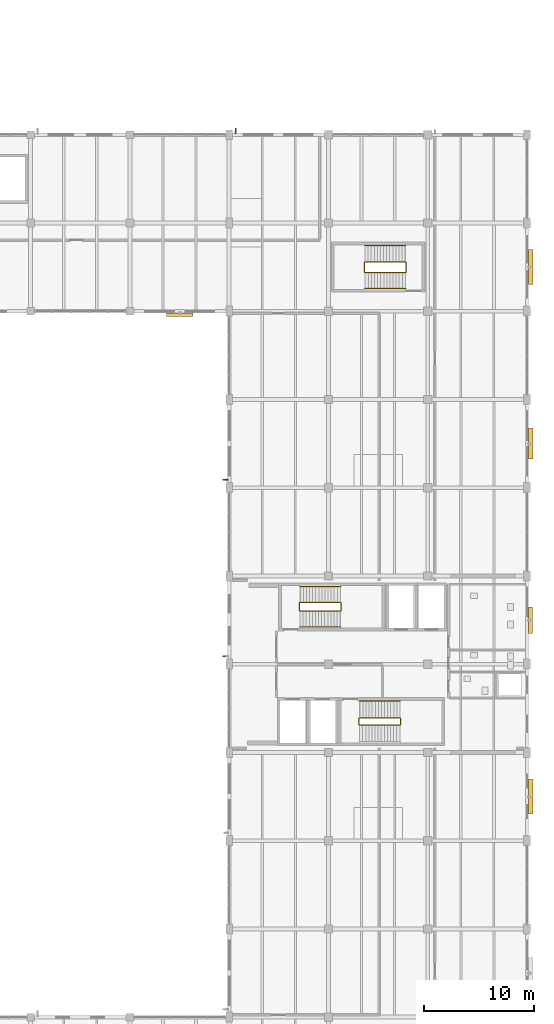
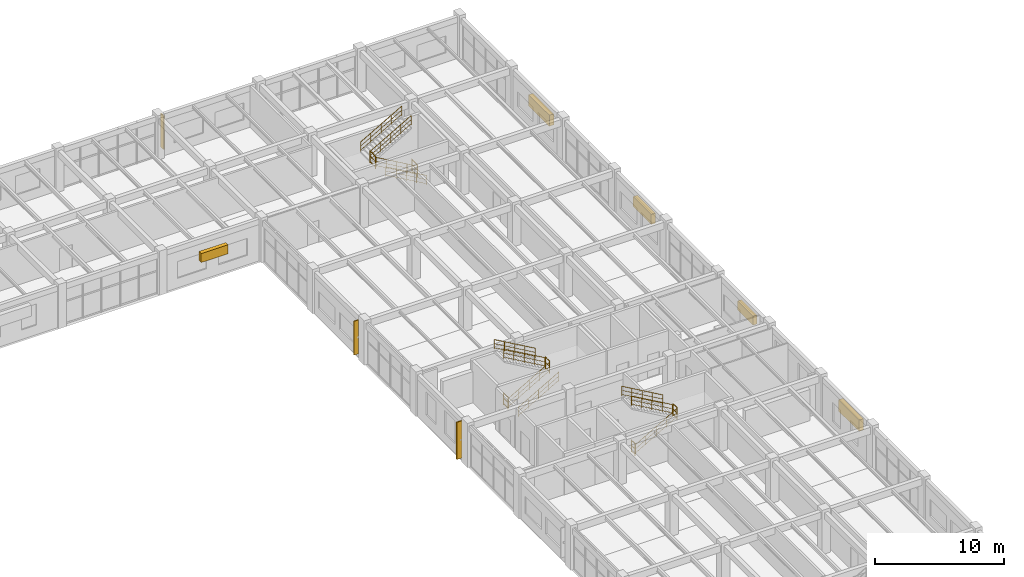
# One storey, part 126 of 128: 17 railings, 8 shading devices.
"""IFC4 building model written with IfcOpenShell, lengths in metres."""

from ifc_helpers import new_model, si_unit, derived_unit, direction, frame, origin, origin_2d, place, context, subcontext, project, spatial, rectangle, circle, extrude, material, type_object, element, save


model = new_model("IFC4")

# Units and contexts
model_context = context("Model", 3, precision=1e-05, world=origin(), true_north=direction((0.0, 1.0)))
body_context = subcontext(model_context, "Body", "Model", "MODEL_VIEW")
ifc_project = project(units=[si_unit("LENGTHUNIT", "METRE"), si_unit("AREAUNIT", "SQUARE_METRE"), si_unit("VOLUMEUNIT", "CUBIC_METRE"), si_unit("PLANEANGLEUNIT", "RADIAN"), si_unit("MASSUNIT", "GRAM", prefix="KILO"), derived_unit("THERMALTRANSMITTANCEUNIT", [(si_unit("MASSUNIT", "GRAM", prefix="KILO"), 1), (si_unit("TIMEUNIT", "SECOND"), -3), (si_unit("THERMODYNAMICTEMPERATUREUNIT", "KELVIN"), -1)])], contexts=[model_context])

# Site, building, storey
site_placement = place(None, origin())
site = spatial("IfcSite", under=ifc_project, at=site_placement, CompositionType="ELEMENT")
building_placement = place(site_placement, origin())
building = spatial("IfcBuilding", under=site, at=building_placement, Name="Zhenchuan Archway Interchange", CompositionType="ELEMENT")
storey_placement = place(building_placement, frame((0.0, 0.0, 14.39990234375)))
storey = spatial("IfcBuildingStorey", under=building, at=storey_placement, Name="L03", CompositionType="ELEMENT", Elevation=14.39990234375)

# Railings
ifc_material_1 = material(Name="Painted Galvanised Steel", Category="steel")
railing_type_1 = type_object("IfcRailingType", Name="RL_GUARD_1150", PredefinedType="GUARDRAIL", material=ifc_material_1)
for number, where, name in (
    (1, (154.125, 60.864990234375, 2.10009765625), "Stair ST-O1 half-landing slot guard (L03)"),
    (2, (150.385009765625, 60.864990234375, 0.0), "Stair ST-O1 floor well guard (L03)"),
):
    element("IfcRailing", number, at=place(storey_placement, frame(where)), inside=storey, type_object=railing_type_1, Name=name, PredefinedType="GUARDRAIL", context=body_context, shape_type="SweptSolid", body=[
        extrude(circle(Radius=0.02392578125, at=origin_2d()), frame((0.0, 0.0, 1.1259765625), z_axis=(0.0, 1.0, 0.0), x_axis=(-1.0, 0.0, 0.0)), (0.0, 0.0, 1.0), 0.669921875),
        extrude(circle(Radius=0.01611328125, at=origin_2d()), frame((0.0, 0.0, 0.63232421875), z_axis=(0.0, 1.0, 0.0), x_axis=(-1.0, 0.0, 0.0)), (0.0, 0.0, 1.0), 0.669921875),
        extrude(circle(Radius=0.01611328125, at=origin_2d()), frame((0.0, 0.0, 0.1201171875), z_axis=(0.0, 1.0, 0.0), x_axis=(-1.0, 0.0, 0.0)), (0.0, 0.0, 1.0), 0.669921875),
        extrude(circle(Radius=0.02099609375, at=origin_2d()), origin(), (0.0, 0.0, 1.0), 1.1259765625),
        extrude(circle(Radius=0.02099609375, at=origin_2d()), frame((0.0, 0.669921875, 0.0)), (0.0, 0.0, 1.0), 1.1259765625),
    ])
for number, where, name in (
    (3, (159.52490234375, 50.514892578125, 2.10009765625), "Stair ST-O2 half-landing slot guard (L03)"),
    (4, (155.784912109375, 50.514892578125, 0.0), "Stair ST-O2 floor well guard (L03)"),
):
    element("IfcRailing", number, at=place(storey_placement, frame(where)), inside=storey, type_object=railing_type_1, Name=name, PredefinedType="GUARDRAIL", context=body_context, shape_type="SweptSolid", body=[
        extrude(circle(Radius=0.02392578125, at=origin_2d()), frame((0.0, 0.0, 1.1259765625), z_axis=(0.0, 1.0, 0.0), x_axis=(-1.0, 0.0, 0.0)), (0.0, 0.0, 1.0), 0.570068359375),
        extrude(circle(Radius=0.01611328125, at=origin_2d()), frame((0.0, 0.0, 0.63232421875), z_axis=(0.0, 1.0, 0.0), x_axis=(-1.0, 0.0, 0.0)), (0.0, 0.0, 1.0), 0.570068359375),
        extrude(circle(Radius=0.01611328125, at=origin_2d()), frame((0.0, 0.0, 0.1201171875), z_axis=(0.0, 1.0, 0.0), x_axis=(-1.0, 0.0, 0.0)), (0.0, 0.0, 1.0), 0.570068359375),
        extrude(circle(Radius=0.02099609375, at=origin_2d()), origin(), (0.0, 0.0, 1.0), 1.1259765625),
        extrude(circle(Radius=0.02099609375, at=origin_2d()), frame((0.0, 0.570068359375, 0.0)), (0.0, 0.0, 1.0), 1.1259765625),
    ])
for number, where, name in (
    (5, (156.27490234375, 91.56494140625, 2.10009765625), "Stair ST-O3 half-landing slot guard (L03)"),
    (6, (160.014892578125, 91.56494140625, 0.0), "Stair ST-O3 floor well guard (L03)"),
):
    element("IfcRailing", number, at=place(storey_placement, frame(where)), inside=storey, type_object=railing_type_1, Name=name, PredefinedType="GUARDRAIL", context=body_context, shape_type="SweptSolid", body=[
        extrude(circle(Radius=0.02392578125, at=origin_2d()), frame((0.0, 0.0, 1.1259765625), z_axis=(0.0, 1.0, 0.0), x_axis=(-1.0, 0.0, 0.0)), (0.0, 0.0, 1.0), 0.8701171875),
        extrude(circle(Radius=0.01611328125, at=origin_2d()), frame((0.0, 0.0, 0.63232421875), z_axis=(0.0, 1.0, 0.0), x_axis=(-1.0, 0.0, 0.0)), (0.0, 0.0, 1.0), 0.8701171875),
        extrude(circle(Radius=0.01611328125, at=origin_2d()), frame((0.0, 0.0, 0.1201171875), z_axis=(0.0, 1.0, 0.0), x_axis=(-1.0, 0.0, 0.0)), (0.0, 0.0, 1.0), 0.8701171875),
        extrude(circle(Radius=0.02099609375, at=origin_2d()), origin(), (0.0, 0.0, 1.0), 1.1259765625),
        extrude(circle(Radius=0.02099609375, at=origin_2d()), frame((0.0, 0.8701171875, 0.0)), (0.0, 0.0, 1.0), 1.1259765625),
    ])
ifc_material_2 = material(Name="Stainless Steel 304", Category="steel")
railing_type_2 = type_object("IfcRailingType", Name="RL_HAND_920", PredefinedType="HANDRAIL", material=ifc_material_2)
for number, where, name in (
    (7, (150.425048828125, 59.35498046875, 0.150146484375), "Stair ST-O1 handrail 1 (L03)"),
    (8, (150.425048828125, 60.824951171875, 0.150146484375), "Stair ST-O1 handrail 2 (L03)"),
):
    element("IfcRailing", number, at=place(storey_placement, frame(where)), inside=storey, type_object=railing_type_2, Name=name, PredefinedType="HANDRAIL", context=body_context, shape_type="SweptSolid", body=[
        extrude(circle(Radius=0.02392578125, at=origin_2d()), frame((0.0, 0.0, 0.89599609375), z_axis=(0.867376594967, 0.0, 0.497652330953), x_axis=(0.0, 1.0, 0.0)), (0.0, 0.0, 1.0), 4.219482421875),
        extrude(circle(Radius=0.01611328125, at=origin_2d()), frame((0.0, 0.0, 0.505859375), z_axis=(0.867376594967, 0.0, 0.497652330953), x_axis=(0.0, 1.0, 0.0)), (0.0, 0.0, 1.0), 4.219482421875),
        extrude(circle(Radius=0.01611328125, at=origin_2d()), frame((0.0, 0.0, 0.1201171875), z_axis=(0.867376594967, 0.0, 0.497652330953), x_axis=(0.0, 1.0, 0.0)), (0.0, 0.0, 1.0), 4.219482421875),
        extrude(circle(Radius=0.02099609375, at=origin_2d()), origin(), (0.0, 0.0, 1.0), 0.89599609375),
        extrude(circle(Radius=0.02099609375, at=origin_2d()), frame((0.9150390625, 0.0, 0.52490234375)), (0.0, 0.0, 1.0), 0.89599609375),
        extrude(circle(Radius=0.02099609375, at=origin_2d()), frame((1.830078125, 0.0, 1.0498046875)), (0.0, 0.0, 1.0), 0.89599609375),
        extrude(circle(Radius=0.02099609375, at=origin_2d()), frame((2.744873046875, 0.0, 1.574951171875)), (0.0, 0.0, 1.0), 0.89599609375),
        extrude(circle(Radius=0.02099609375, at=origin_2d()), frame((3.659912109375, 0.0, 2.099853515625)), (0.0, 0.0, 1.0), 0.89599609375),
    ])
for number, where, name in (
    (9, (154.0849609375, 61.574951171875, 2.25), "Stair ST-O1 handrail 3 (L03)"),
    (10, (154.0849609375, 63.044921875, 2.25), "Stair ST-O1 handrail 4 (L03)"),
):
    element("IfcRailing", number, at=place(storey_placement, frame(where)), inside=storey, type_object=railing_type_2, Name=name, PredefinedType="HANDRAIL", context=body_context, shape_type="SweptSolid", body=[
        extrude(circle(Radius=0.02392578125, at=origin_2d()), frame((0.0, 0.0, 0.89599609375), z_axis=(-0.867351619287, 0.0, 0.497695859456), x_axis=(0.0, -1.0, 0.0)), (0.0, 0.0, 1.0), 4.2197265625),
        extrude(circle(Radius=0.01611328125, at=origin_2d()), frame((0.0, 0.0, 0.505859375), z_axis=(-0.867351619287, 0.0, 0.497695859456), x_axis=(0.0, -1.0, 0.0)), (0.0, 0.0, 1.0), 4.2197265625),
        extrude(circle(Radius=0.01611328125, at=origin_2d()), frame((0.0, 0.0, 0.1201171875), z_axis=(-0.867351619287, 0.0, 0.497695859456), x_axis=(0.0, -1.0, 0.0)), (0.0, 0.0, 1.0), 4.2197265625),
        extrude(circle(Radius=0.02099609375, at=origin_2d()), origin(), (0.0, 0.0, 1.0), 0.89599609375),
        extrude(circle(Radius=0.02099609375, at=origin_2d()), frame((-0.9150390625, 0.0, 0.52490234375)), (0.0, 0.0, 1.0), 0.89599609375),
        extrude(circle(Radius=0.02099609375, at=origin_2d()), frame((-1.830078125, 0.0, 1.050048828125)), (0.0, 0.0, 1.0), 0.89599609375),
        extrude(circle(Radius=0.02099609375, at=origin_2d()), frame((-2.744873046875, 0.0, 1.5751953125)), (0.0, 0.0, 1.0), 0.89599609375),
        extrude(circle(Radius=0.02099609375, at=origin_2d()), frame((-3.659912109375, 0.0, 2.10009765625)), (0.0, 0.0, 1.0), 0.89599609375),
    ])
railing_placement = place(storey_placement, frame((155.824951171875, 50.47509765625, 0.150146484375)))
element("IfcRailing", 11, at=railing_placement, inside=storey, type_object=railing_type_2, Name="Stair ST-O2 handrail 2 (L03)", PredefinedType="HANDRAIL", context=body_context, shape_type="SweptSolid", body=[
    extrude(circle(Radius=0.02392578125, at=origin_2d()), frame((0.0, 0.0, 0.89599609375), z_axis=(0.867390923327, 0.0, 0.497627356693), x_axis=(0.0, 1.0, 0.0)), (0.0, 0.0, 1.0), 4.2197265625),
    extrude(circle(Radius=0.01611328125, at=origin_2d()), frame((0.0, 0.0, 0.505859375), z_axis=(0.867390923327, 0.0, 0.497627356693), x_axis=(0.0, 1.0, 0.0)), (0.0, 0.0, 1.0), 4.2197265625),
    extrude(circle(Radius=0.01611328125, at=origin_2d()), frame((0.0, 0.0, 0.1201171875), z_axis=(0.867390923327, 0.0, 0.497627356693), x_axis=(0.0, 1.0, 0.0)), (0.0, 0.0, 1.0), 4.2197265625),
    extrude(circle(Radius=0.02099609375, at=origin_2d()), origin(), (0.0, 0.0, 1.0), 0.89599609375),
    extrude(circle(Radius=0.02099609375, at=origin_2d()), frame((0.9150390625, 0.0, 0.52490234375)), (0.0, 0.0, 1.0), 0.89599609375),
    extrude(circle(Radius=0.02099609375, at=origin_2d()), frame((1.830078125, 0.0, 1.0498046875)), (0.0, 0.0, 1.0), 0.89599609375),
    extrude(circle(Radius=0.02099609375, at=origin_2d()), frame((2.7451171875, 0.0, 1.574951171875)), (0.0, 0.0, 1.0), 0.89599609375),
    extrude(circle(Radius=0.02099609375, at=origin_2d()), frame((3.66015625, 0.0, 2.099853515625)), (0.0, 0.0, 1.0), 0.89599609375),
])
for number, where, name in (
    (12, (159.485107421875, 51.125, 2.25), "Stair ST-O2 handrail 3 (L03)"),
    (13, (159.485107421875, 52.64501953125, 2.25), "Stair ST-O2 handrail 4 (L03)"),
):
    element("IfcRailing", number, at=place(storey_placement, frame(where)), inside=storey, type_object=railing_type_2, Name=name, PredefinedType="HANDRAIL", context=body_context, shape_type="SweptSolid", body=[
        extrude(circle(Radius=0.02392578125, at=origin_2d()), frame((0.0, 0.0, 0.89599609375), z_axis=(-0.867365949741, 0.0, 0.49767088445), x_axis=(0.0, -1.0, 0.0)), (0.0, 0.0, 1.0), 4.219970703125),
        extrude(circle(Radius=0.01611328125, at=origin_2d()), frame((0.0, 0.0, 0.505859375), z_axis=(-0.867365949741, 0.0, 0.49767088445), x_axis=(0.0, -1.0, 0.0)), (0.0, 0.0, 1.0), 4.219970703125),
        extrude(circle(Radius=0.01611328125, at=origin_2d()), frame((0.0, 0.0, 0.1201171875), z_axis=(-0.867365949741, 0.0, 0.49767088445), x_axis=(0.0, -1.0, 0.0)), (0.0, 0.0, 1.0), 4.219970703125),
        extrude(circle(Radius=0.02099609375, at=origin_2d()), origin(), (0.0, 0.0, 1.0), 0.89599609375),
        extrude(circle(Radius=0.02099609375, at=origin_2d()), frame((-0.9150390625, 0.0, 0.52490234375)), (0.0, 0.0, 1.0), 0.89599609375),
        extrude(circle(Radius=0.02099609375, at=origin_2d()), frame((-1.830078125, 0.0, 1.050048828125)), (0.0, 0.0, 1.0), 0.89599609375),
        extrude(circle(Radius=0.02099609375, at=origin_2d()), frame((-2.7451171875, 0.0, 1.5751953125)), (0.0, 0.0, 1.0), 0.89599609375),
        extrude(circle(Radius=0.02099609375, at=origin_2d()), frame((-3.66015625, 0.0, 2.10009765625)), (0.0, 0.0, 1.0), 0.89599609375),
    ])
for number, where, name in (
    (14, (159.97509765625, 90.054931640625, 0.150146484375), "Stair ST-O3 handrail 1 (L03)"),
    (15, (159.97509765625, 91.52490234375, 0.150146484375), "Stair ST-O3 handrail 2 (L03)"),
):
    element("IfcRailing", number, at=place(storey_placement, frame(where)), inside=storey, type_object=railing_type_2, Name=name, PredefinedType="HANDRAIL", context=body_context, shape_type="SweptSolid", body=[
        extrude(circle(Radius=0.02392578125, at=origin_2d()), frame((0.0, 0.0, 0.89599609375), z_axis=(-0.867390923327, 0.0, 0.497627356693), x_axis=(0.0, -1.0, 0.0)), (0.0, 0.0, 1.0), 4.2197265625),
        extrude(circle(Radius=0.01611328125, at=origin_2d()), frame((0.0, 0.0, 0.505859375), z_axis=(-0.867390923327, 0.0, 0.497627356693), x_axis=(0.0, -1.0, 0.0)), (0.0, 0.0, 1.0), 4.2197265625),
        extrude(circle(Radius=0.01611328125, at=origin_2d()), frame((0.0, 0.0, 0.1201171875), z_axis=(-0.867390923327, 0.0, 0.497627356693), x_axis=(0.0, -1.0, 0.0)), (0.0, 0.0, 1.0), 4.2197265625),
        extrude(circle(Radius=0.02099609375, at=origin_2d()), origin(), (0.0, 0.0, 1.0), 0.89599609375),
        extrude(circle(Radius=0.02099609375, at=origin_2d()), frame((-0.9150390625, 0.0, 0.52490234375)), (0.0, 0.0, 1.0), 0.89599609375),
        extrude(circle(Radius=0.02099609375, at=origin_2d()), frame((-1.830078125, 0.0, 1.0498046875)), (0.0, 0.0, 1.0), 0.89599609375),
        extrude(circle(Radius=0.02099609375, at=origin_2d()), frame((-2.7451171875, 0.0, 1.574951171875)), (0.0, 0.0, 1.0), 0.89599609375),
        extrude(circle(Radius=0.02099609375, at=origin_2d()), frame((-3.66015625, 0.0, 2.099853515625)), (0.0, 0.0, 1.0), 0.89599609375),
    ])
for number, where, name in (
    (16, (156.31494140625, 92.47509765625, 2.25), "Stair ST-O3 handrail 3 (L03)"),
    (17, (156.31494140625, 93.945068359375, 2.25), "Stair ST-O3 handrail 4 (L03)"),
):
    element("IfcRailing", number, at=place(storey_placement, frame(where)), inside=storey, type_object=railing_type_2, Name=name, PredefinedType="HANDRAIL", context=body_context, shape_type="SweptSolid", body=[
        extrude(circle(Radius=0.02392578125, at=origin_2d()), frame((0.0, 0.0, 0.89599609375), z_axis=(0.867365949741, 0.0, 0.49767088445), x_axis=(0.0, 1.0, 0.0)), (0.0, 0.0, 1.0), 4.219970703125),
        extrude(circle(Radius=0.01611328125, at=origin_2d()), frame((0.0, 0.0, 0.505859375), z_axis=(0.867365949741, 0.0, 0.49767088445), x_axis=(0.0, 1.0, 0.0)), (0.0, 0.0, 1.0), 4.219970703125),
        extrude(circle(Radius=0.01611328125, at=origin_2d()), frame((0.0, 0.0, 0.1201171875), z_axis=(0.867365949741, 0.0, 0.49767088445), x_axis=(0.0, 1.0, 0.0)), (0.0, 0.0, 1.0), 4.219970703125),
        extrude(circle(Radius=0.02099609375, at=origin_2d()), origin(), (0.0, 0.0, 1.0), 0.89599609375),
        extrude(circle(Radius=0.02099609375, at=origin_2d()), frame((0.9150390625, 0.0, 0.52490234375)), (0.0, 0.0, 1.0), 0.89599609375),
        extrude(circle(Radius=0.02099609375, at=origin_2d()), frame((1.830078125, 0.0, 1.050048828125)), (0.0, 0.0, 1.0), 0.89599609375),
        extrude(circle(Radius=0.02099609375, at=origin_2d()), frame((2.7451171875, 0.0, 1.5751953125)), (0.0, 0.0, 1.0), 0.89599609375),
        extrude(circle(Radius=0.02099609375, at=origin_2d()), frame((3.66015625, 0.0, 2.10009765625)), (0.0, 0.0, 1.0), 0.89599609375),
    ])

# Shading devices
ifc_material_3 = material(Name="Terracotta Ceramic", Category="masonry")
shading_device_type_1 = type_object("IfcShadingDeviceType", Name="SHD_FIN_1", PredefinedType="USERDEFINED", material=ifc_material_3)
for number, where, z_axis, x_axis, name in (
    (18, (143.64599609375, 72.72802734375, 0.3603515625), (0.0, 0.0, 1.0), (0.0, 1.0, 0.0), "Terracotta vertical solar fin L03-108"),
    (19, (144.577880859375, 104.35400390625, 0.35498046875), (0.0, 0.0, 1.0), (1.0, 0.0, 0.0), "Terracotta vertical solar fin L03-114"),
):
    element("IfcShadingDevice", number, at=place(storey_placement, frame(where, z_axis=z_axis, x_axis=x_axis)), inside=storey, type_object=shading_device_type_1, Name=name, ObjectType="FINS", PredefinedType="USERDEFINED", context=body_context, shape_type="SweptSolid", body=[
        extrude(rectangle(XDim=0.090087890625, YDim=0.419921875, at=origin_2d()), origin(), (0.0, 0.0, 1.0), 3.199951171875),
    ])
shading_device_type_2 = type_object("IfcShadingDeviceType", Name="SHD_FIN_3", PredefinedType="USERDEFINED", material=ifc_material_3)
shading_device_1_placement = place(storey_placement, frame((143.6259765625, 56.72802734375, 0.2001953125), z_axis=(0.0, 0.0, 1.0), x_axis=(0.0, 1.0, 0.0)))
element("IfcShadingDevice", 20, at=shading_device_1_placement, inside=storey, type_object=shading_device_type_2, Name="Terracotta vertical solar fin L03-107", ObjectType="FINS", PredefinedType="USERDEFINED", context=body_context, shape_type="SweptSolid", body=[
    extrude(rectangle(XDim=0.10009765625, YDim=0.4599609375, at=origin_2d()), origin(), (0.0, 0.0, 1.0), 3.52001953125),
])
ifc_material_4 = material(Name="Anodised Aluminium", Category="aluminium")
shading_device_type_3 = type_object("IfcShadingDeviceType", Name="SHD_LOUVRE_1", PredefinedType="JALOUSIE", material=ifc_material_4)
shading_device_2_placement = place(storey_placement, frame((171.333984375, 76.0, 1.875), z_axis=(0.0, 0.0, 1.0), x_axis=(0.0, -1.0, 0.0)))
element("IfcShadingDevice", 21, at=shading_device_2_placement, inside=storey, type_object=shading_device_type_3, Name="Monsoon storm-louvre jalousie L03-117", PredefinedType="JALOUSIE", context=body_context, shape_type="SweptSolid", body=[
    extrude(rectangle(XDim=2.800048828125, YDim=0.3798828125, at=origin_2d()), origin(), (0.0, 0.0, 1.0), 0.949951171875),
])
shading_device_type_4 = type_object("IfcShadingDeviceType", Name="SHD_LOUVRE_2", PredefinedType="JALOUSIE", material=ifc_material_4)
for number, where, z_axis, x_axis, name in (
    (22, (139.52490234375, 87.68603515625, 1.925048828125), (0.0, 0.0, 1.0), (-1.0, 0.0, 0.0), "Monsoon storm-louvre jalousie L03-109"),
    (23, (171.31396484375, 60.0, 1.925048828125), (0.0, 0.0, 1.0), (0.0, -1.0, 0.0), "Monsoon storm-louvre jalousie L03-118"),
):
    element("IfcShadingDevice", number, at=place(storey_placement, frame(where, z_axis=z_axis, x_axis=x_axis)), inside=storey, type_object=shading_device_type_4, Name=name, PredefinedType="JALOUSIE", context=body_context, shape_type="SweptSolid", body=[
        extrude(rectangle(XDim=2.39990234375, YDim=0.340087890625, at=origin_2d()), origin(), (0.0, 0.0, 1.0), 0.85009765625),
    ])
shading_device_type_5 = type_object("IfcShadingDeviceType", Name="SHD_LOUVRE_3", PredefinedType="JALOUSIE", material=ifc_material_4)
for number, where, z_axis, x_axis, name in (
    (24, (171.343994140625, 92.0, 1.5751953125), (0.0, 0.0, 1.0), (0.0, -1.0, 0.0), "Monsoon storm-louvre jalousie L03-116"),
    (25, (171.343994140625, 44.0, 1.8251953125), (0.0, 0.0, 1.0), (0.0, -1.0, 0.0), "Monsoon storm-louvre jalousie L03-119"),
):
    element("IfcShadingDevice", number, at=place(storey_placement, frame(where, z_axis=z_axis, x_axis=x_axis)), inside=storey, type_object=shading_device_type_5, Name=name, PredefinedType="JALOUSIE", context=body_context, shape_type="SweptSolid", body=[
        extrude(rectangle(XDim=3.199951171875, YDim=0.39990234375, at=origin_2d()), origin(), (0.0, 0.0, 1.0), 1.050048828125),
    ])

save(model, "model.ifc")
